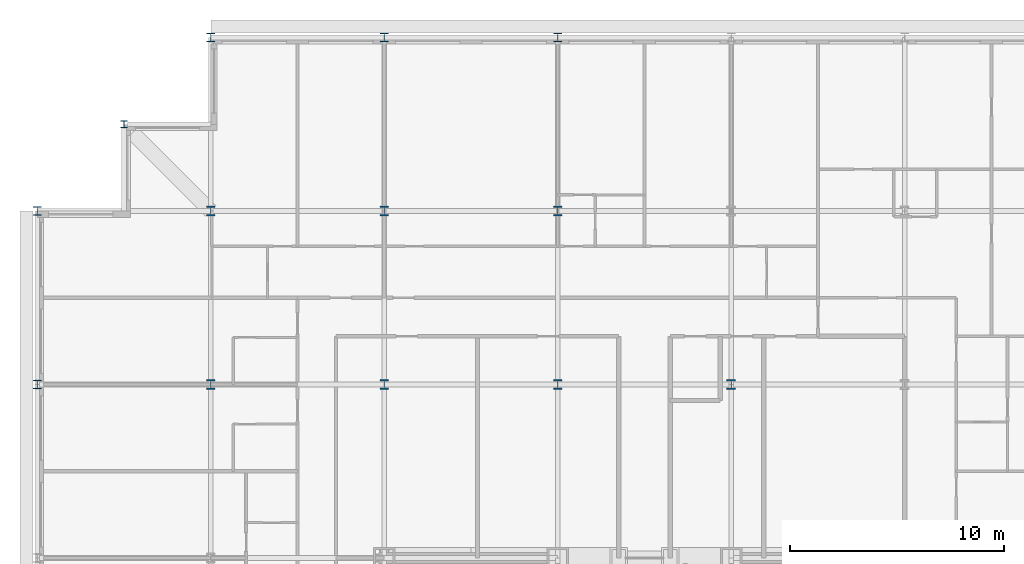
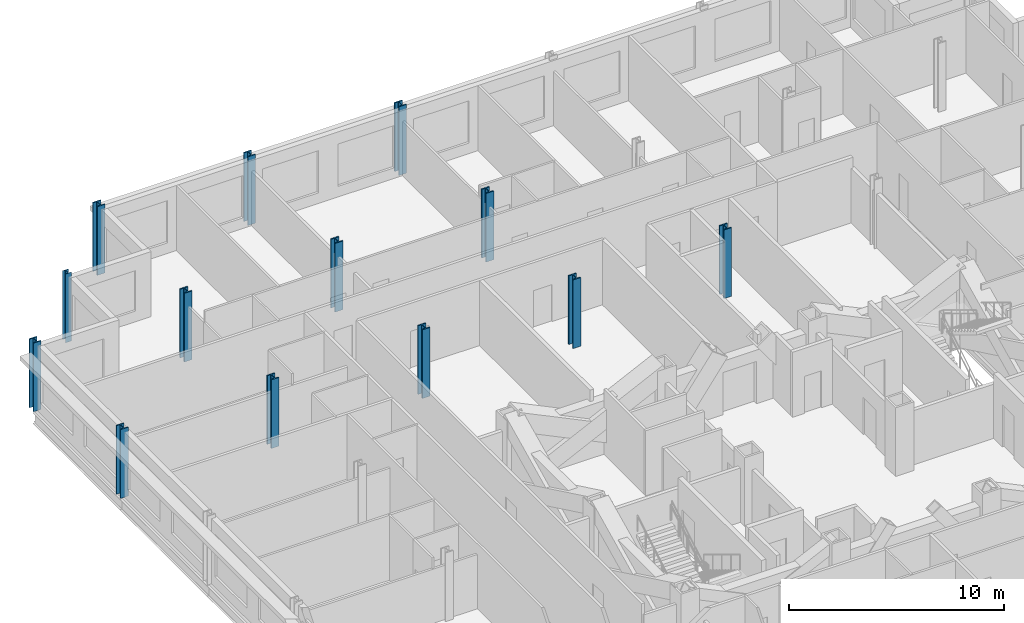
# One storey, part 3 of 15: 13 columns.
"""IFC4 building model written with IfcOpenShell, lengths in metres."""

from ifc_helpers import new_model, si_unit, direction, frame, origin, origin_2d, place, context, subcontext, project, spatial, i_section, extrude, material, material_profile, profile_set, type_object, element, save


model = new_model("IFC4")

# Units and contexts
model_context = context("Model", 3, precision=1e-05, world=origin(), true_north=direction((0.0, 1.0)))
body_context = subcontext(model_context, "Body", "Model", "MODEL_VIEW")
ifc_project = project(units=[si_unit("LENGTHUNIT", "METRE"), si_unit("AREAUNIT", "SQUARE_METRE"), si_unit("VOLUMEUNIT", "CUBIC_METRE"), si_unit("PLANEANGLEUNIT", "RADIAN"), si_unit("MASSUNIT", "GRAM", prefix="KILO")], contexts=[model_context])

# Site, building, storey
site_placement = place(None, origin())
site = spatial("IfcSite", under=ifc_project, at=site_placement, CompositionType="ELEMENT")
building_placement = place(site_placement, origin())
building = spatial("IfcBuilding", under=site, at=building_placement, Name="Kopane Lantern Tower", CompositionType="ELEMENT")
storey_placement = place(building_placement, frame((0.0, 0.0, 250.199951171875)))
storey = spatial("IfcBuildingStorey", under=building, at=storey_placement, Name="L64", CompositionType="ELEMENT", Elevation=250.199951171875)

# Columns
ifc_material_1 = material(Name="Steel S355JR", Category="steel")
ifc_material_profile_1 = material_profile(ifc_material_1, i_section(OverallWidth=0.307373046875, OverallDepth=0.314453125, WebThickness=0.011962890625, FlangeThickness=0.018798828125, FilletRadius=0.01513671875, at=origin_2d()), Name="UC 305x305x118")
ifc_profile_set_1 = profile_set([ifc_material_profile_1], Name="Steel S355JR")
column_type_1 = type_object("IfcColumnType", Name="COLUMN UC 305x305x118", PredefinedType="COLUMN", material=ifc_profile_set_1)
column_placement = place(storey_placement, frame((4.050048828125, 60.75, 0.0), z_axis=(0.0, 0.0, 1.0), x_axis=(1.0, 0.0, 0.0)))
element("IfcColumn", 1, at=column_placement, inside=storey, type_object=column_type_1, Name="Column 4.05/60.75 L64", PredefinedType="COLUMN", context=body_context, shape_type="SweptSolid", body=[
    extrude(i_section(OverallWidth=0.307373046875, OverallDepth=0.314453125, WebThickness=0.011962890625, FlangeThickness=0.018798828125, FilletRadius=0.01513671875, at=origin_2d()), origin(), (0.0, 0.0, 1.0), 3.900146484375),
])
ifc_material_2 = material(Name="Steel S355JR", Category="steel")
ifc_material_profile_2 = material_profile(ifc_material_2, i_section(OverallWidth=0.412109375, OverallDepth=0.4365234375, WebThickness=0.035888671875, FlangeThickness=0.05810546875, FilletRadius=0.01513671875, at=origin_2d()), Name="UC 356x406x467")
ifc_profile_set_2 = profile_set([ifc_material_profile_2], Name="Steel S355JR")
column_type_2 = type_object("IfcColumnType", Name="COLUMN UC 356x406x467", PredefinedType="COLUMN", material=ifc_profile_set_2)
for number, where, z_axis, x_axis, name in (
    (2, (0.0, 48.60009765625, 0.0), (0.0, 0.0, 1.0), (1.0, 0.0, 0.0), "Column 2/H L64"),
    (3, (0.0, 56.699951171875, 0.0), (0.0, 0.0, 1.0), (1.0, 0.0, 0.0), "Column 2/J L64"),
    (4, (8.10009765625, 64.800048828125, 0.0), (0.0, 0.0, 1.0), (1.0, 0.0, 0.0), "Column 3/K L64"),
    (5, (16.199951171875, 64.800048828125, 0.0), (0.0, 0.0, 1.0), (1.0, 0.0, 0.0), "Column 4/K L64"),
    (6, (24.300048828125, 64.800048828125, 0.0), (0.0, 0.0, 1.0), (1.0, 0.0, 0.0), "Column 5/K L64"),
):
    element("IfcColumn", number, at=place(storey_placement, frame(where, z_axis=z_axis, x_axis=x_axis)), inside=storey, type_object=column_type_2, Name=name, PredefinedType="COLUMN", context=body_context, shape_type="SweptSolid", body=[
        extrude(i_section(OverallWidth=0.412109375, OverallDepth=0.4365234375, WebThickness=0.035888671875, FlangeThickness=0.05810546875, FilletRadius=0.01513671875, at=origin_2d()), origin(), (0.0, 0.0, 1.0), 3.900146484375),
    ])
ifc_material_3 = material(Name="Steel S355JR", Category="steel")
ifc_material_profile_3 = material_profile(ifc_material_3, i_section(OverallWidth=0.41845703125, OverallDepth=0.45556640625, WebThickness=0.0419921875, FlangeThickness=0.0673828125, FilletRadius=0.01513671875, at=origin_2d()), Name="UC 356x406x551")
ifc_profile_set_3 = profile_set([ifc_material_profile_3], Name="Steel S355JR")
column_type_3 = type_object("IfcColumnType", Name="COLUMN UC 356x406x551", PredefinedType="COLUMN", material=ifc_profile_set_3)
for number, where, z_axis, x_axis, name in (
    (7, (8.10009765625, 48.60009765625, 0.0), (0.0, 0.0, 1.0), (1.0, 0.0, 0.0), "Column 3/H L64"),
    (8, (8.10009765625, 56.699951171875, 0.0), (0.0, 0.0, 1.0), (1.0, 0.0, 0.0), "Column 3/J L64"),
    (9, (16.199951171875, 48.60009765625, 0.0), (0.0, 0.0, 1.0), (1.0, 0.0, 0.0), "Column 4/H L64"),
    (10, (16.199951171875, 56.699951171875, 0.0), (0.0, 0.0, 1.0), (1.0, 0.0, 0.0), "Column 4/J L64"),
    (11, (24.300048828125, 48.60009765625, 0.0), (0.0, 0.0, 1.0), (1.0, 0.0, 0.0), "Column 5/H L64"),
    (12, (24.300048828125, 56.699951171875, 0.0), (0.0, 0.0, 1.0), (1.0, 0.0, 0.0), "Column 5/J L64"),
    (13, (32.39990234375, 48.60009765625, 0.0), (0.0, 0.0, 1.0), (1.0, 0.0, 0.0), "Column 6/H L64"),
):
    element("IfcColumn", number, at=place(storey_placement, frame(where, z_axis=z_axis, x_axis=x_axis)), inside=storey, type_object=column_type_3, Name=name, PredefinedType="COLUMN", context=body_context, shape_type="SweptSolid", body=[
        extrude(i_section(OverallWidth=0.41845703125, OverallDepth=0.45556640625, WebThickness=0.0419921875, FlangeThickness=0.0673828125, FilletRadius=0.01513671875, at=origin_2d()), origin(), (0.0, 0.0, 1.0), 3.900146484375),
    ])

save(model, "model.ifc")
